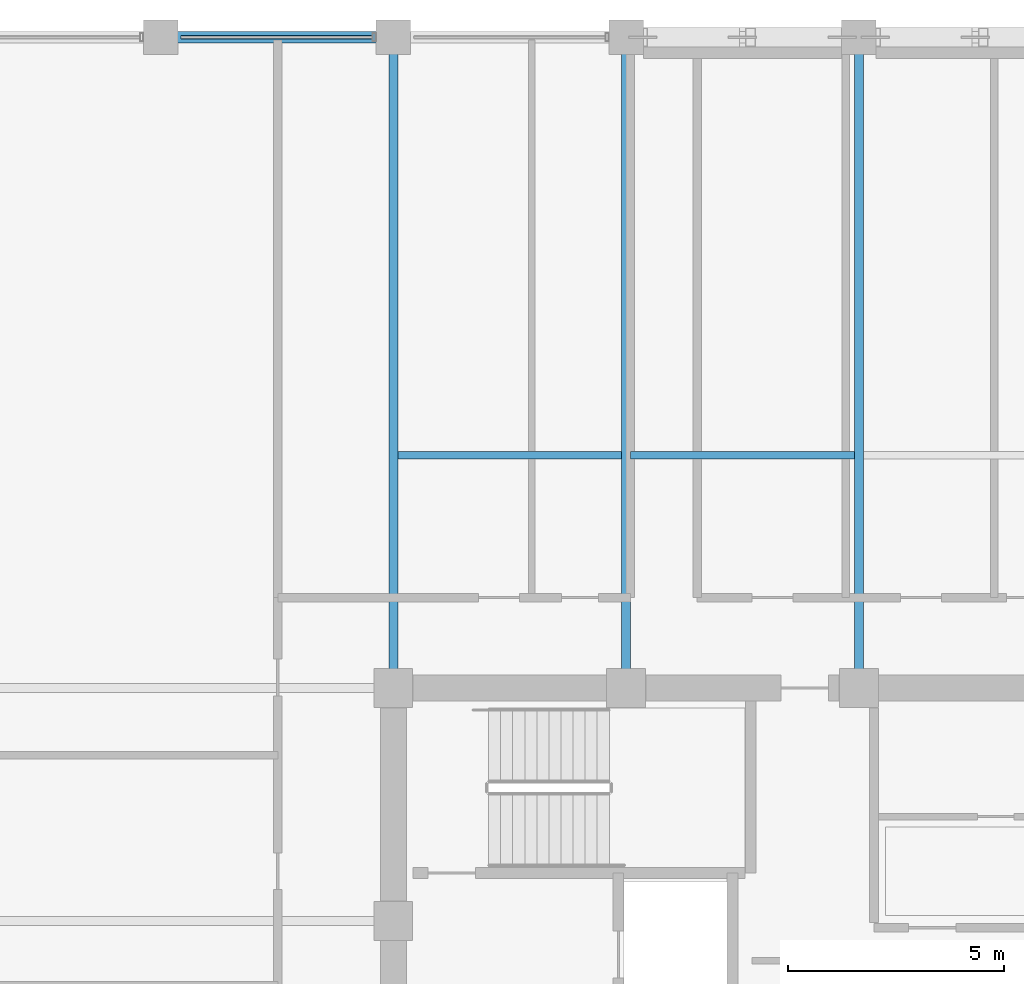
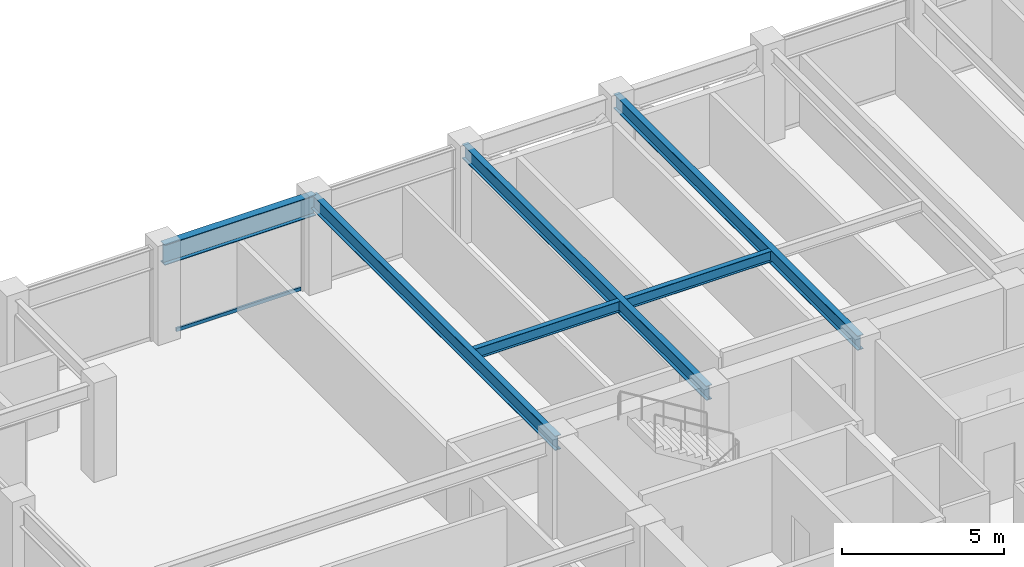
# One storey, part 16 of 28: 6 beams, 1 member, 1 element without a shape of its own.
"""IFC4 building model written with IfcOpenShell, lengths in metres."""

from ifc_helpers import new_model, si_unit, direction, frame, origin, origin_2d, place, context, subcontext, project, spatial, hollow_rectangle, i_section, extrude, material, layer, layer_set, material_profile, profile_set, type_object, element, aggregate, save


model = new_model("IFC4")

# Units and contexts
model_context = context("Model", 3, precision=1e-05, world=origin(), true_north=direction((0.0, 1.0)))
body_context = subcontext(model_context, "Body", "Model", "MODEL_VIEW")
ifc_project = project(units=[si_unit("LENGTHUNIT", "METRE"), si_unit("AREAUNIT", "SQUARE_METRE"), si_unit("VOLUMEUNIT", "CUBIC_METRE"), si_unit("PLANEANGLEUNIT", "RADIAN"), si_unit("MASSUNIT", "GRAM", prefix="KILO")], contexts=[model_context])

# Site, building, storey
site_placement = place(None, origin())
site = spatial("IfcSite", under=ifc_project, at=site_placement, CompositionType="ELEMENT")
building_placement = place(site_placement, origin())
building = spatial("IfcBuilding", under=site, at=building_placement, Name="Surkhivell Harbour Commons", CompositionType="ELEMENT")
storey_placement = place(building_placement, frame((0.0, 0.0, 246.0)))
storey = spatial("IfcBuildingStorey", under=building, at=storey_placement, Name="L64", CompositionType="ELEMENT", Elevation=246.0)

# Beams
ifc_material_1 = material(Name="Steel S355", Category="steel")
ifc_material_profile_1 = material_profile(ifc_material_1, i_section(OverallWidth=0.2119140625, OverallDepth=0.5439453125, WebThickness=0.0126953125, FlangeThickness=0.021240234375, at=origin_2d()), Name="UB533x210x122")
ifc_profile_set_1 = profile_set([ifc_material_profile_1], Name="Steel S355")
beam_type_1 = type_object("IfcBeamType", Name="BM-GRD-533A", PredefinedType="BEAM", material=ifc_profile_set_1)
for number, where, z_axis, x_axis, name in (
    (1, (-10.800048828125, 10.800048828125, 3.22802734375), (0.0, 1.0, 0.0), (-1.0, 0.0, 0.0), "L64 Floor Girder (-10.8,10.8)"),
    (2, (-5.39990234375, 10.800048828125, 3.22802734375), (0.0, 1.0, 0.0), (-1.0, 0.0, 0.0), "L64 Floor Girder (-5.4,10.8)"),
    (3, (0.0, 10.800048828125, 3.22802734375), (0.0, 1.0, 0.0), (-1.0, 0.0, 0.0), "L64 Floor Girder (0.0,10.8)"),
):
    element("IfcBeam", number, at=place(storey_placement, frame(where, z_axis=z_axis, x_axis=x_axis)), inside=storey, type_object=beam_type_1, Name=name, PredefinedType="BEAM", context=body_context, shape_type="SweptSolid", body=[
        extrude(i_section(OverallWidth=0.2119140625, OverallDepth=0.5439453125, WebThickness=0.0126953125, FlangeThickness=0.021240234375, at=origin_2d()), origin(), (0.0, 0.0, 1.0), 15.099853515625),
    ])
ifc_material_profile_2 = material_profile(ifc_material_1, i_section(OverallWidth=0.178955078125, OverallDepth=0.408935546875, WebThickness=0.0087890625, FlangeThickness=0.014404296875, at=origin_2d()), Name="UB406x178x67")
ifc_profile_set_2 = profile_set([ifc_material_profile_2], Name="Steel S355")
beam_type_2 = type_object("IfcBeamType", Name="BM-JST-406", PredefinedType="JOIST", material=ifc_profile_set_2)
beam_1_placement = place(storey_placement, frame((-10.696044921875, 16.199951171875, 3.29541015625), z_axis=(1.0, 0.0, 0.0), x_axis=(0.0, 1.0, 0.0)))
element("IfcBeam", 4, at=beam_1_placement, inside=storey, type_object=beam_type_2, Name="L64 North Composite Joist (-10.8)", PredefinedType="JOIST", context=body_context, shape_type="SweptSolid", body=[
    extrude(i_section(OverallWidth=0.178955078125, OverallDepth=0.408935546875, WebThickness=0.0087890625, FlangeThickness=0.014404296875, at=origin_2d()), origin(), (0.0, 0.0, 1.0), 5.192138671875),
])
beam_2_placement = place(storey_placement, frame((-5.2958984375, 16.199951171875, 3.29541015625), z_axis=(1.0, 0.0, 0.0), x_axis=(0.0, 1.0, 0.0)))
element("IfcBeam", 5, at=beam_2_placement, inside=storey, type_object=beam_type_2, Name="L64 North Composite Joist (-5.4)", PredefinedType="JOIST", context=body_context, shape_type="SweptSolid", body=[
    extrude(i_section(OverallWidth=0.178955078125, OverallDepth=0.408935546875, WebThickness=0.0087890625, FlangeThickness=0.014404296875, at=origin_2d()), origin(), (0.0, 0.0, 1.0), 5.19189453125),
])
ifc_material_profile_3 = material_profile(ifc_material_1, i_section(OverallWidth=0.26806640625, OverallDepth=0.77001953125, WebThickness=0.015625, FlangeThickness=0.025390625, at=origin_2d()), Name="UB762x267x197")
ifc_profile_set_3 = profile_set([ifc_material_profile_3], Name="Steel S355")
beam_type_3 = type_object("IfcBeamType", Name="BM-SPN-762", PredefinedType="SPANDREL", material=ifc_profile_set_3)
beam_3_placement = place(storey_placement, frame((-16.199951171875, 25.89990234375, 3.114990234375), z_axis=(1.0, 0.0, 0.0), x_axis=(0.0, 1.0, 0.0)))
element("IfcBeam", 6, at=beam_3_placement, inside=storey, type_object=beam_type_3, Name="L64 Tube Spandrel (-16.2,25.9)", PredefinedType="SPANDREL", context=body_context, shape_type="SweptSolid", body=[
    extrude(i_section(OverallWidth=0.26806640625, OverallDepth=0.77001953125, WebThickness=0.015625, FlangeThickness=0.025390625, at=origin_2d()), origin(), (0.0, 0.0, 1.0), 5.39990234375),
])

# Curtain wall, member
ifc_material_2 = material(Name="Anodised pale-metal aluminium and insulated glazing", Category="aluminium")
ifc_layer = layer(ifc_material_2, 0.18994140625)
ifc_layer_set = layer_set([ifc_layer], Name="Anodised pale-metal aluminium and insulated glazing")
curtain_wall_type = type_object("IfcCurtainWallType", Name="CW-SYS-Z3", PredefinedType="NOTDEFINED", material=ifc_layer_set)
curtain_wall_placement = place(storey_placement, origin())
curtain_wall = element("IfcCurtainWall", 7, at=curtain_wall_placement, inside=storey, type_object=curtain_wall_type, Name="L64 Curtain Wall CW-L64-E07S2", PredefinedType="NOTDEFINED")
ifc_material_3 = material(Name="Champagne anodised aluminium alloy 6063-T6", Category="aluminium")
ifc_material_profile_4 = material_profile(ifc_material_3, hollow_rectangle(XDim=0.070068359375, YDim=0.1298828125, WallThickness=0.00341796875, at=origin_2d()), Name="ALU-TRAN-70x130")
ifc_profile_set_4 = profile_set([ifc_material_profile_4], Name="Champagne anodised aluminium alloy 6063-T6")
member_type = type_object("IfcMemberType", Name="CWT-130", PredefinedType="USERDEFINED", material=ifc_profile_set_4)
member_placement = place(storey_placement, frame((-11.277099609375, 25.89990234375, 0.06494140625), z_axis=(-1.0, 0.0, 0.0), x_axis=(0.0, -1.0, 0.0)))
member = element("IfcMember", 8, at=member_placement, type_object=member_type, Name="CW-Z3 transom 2.1", ObjectType="TRANSOM", PredefinedType="USERDEFINED", context=body_context, shape_type="SweptSolid", body=[
    extrude(hollow_rectangle(XDim=0.070068359375, YDim=0.1298828125, WallThickness=0.00341796875, at=origin_2d()), origin(), (0.0, 0.0, 1.0), 4.44580078125),
])
aggregate(curtain_wall, [member])

save(model, "model.ifc")
